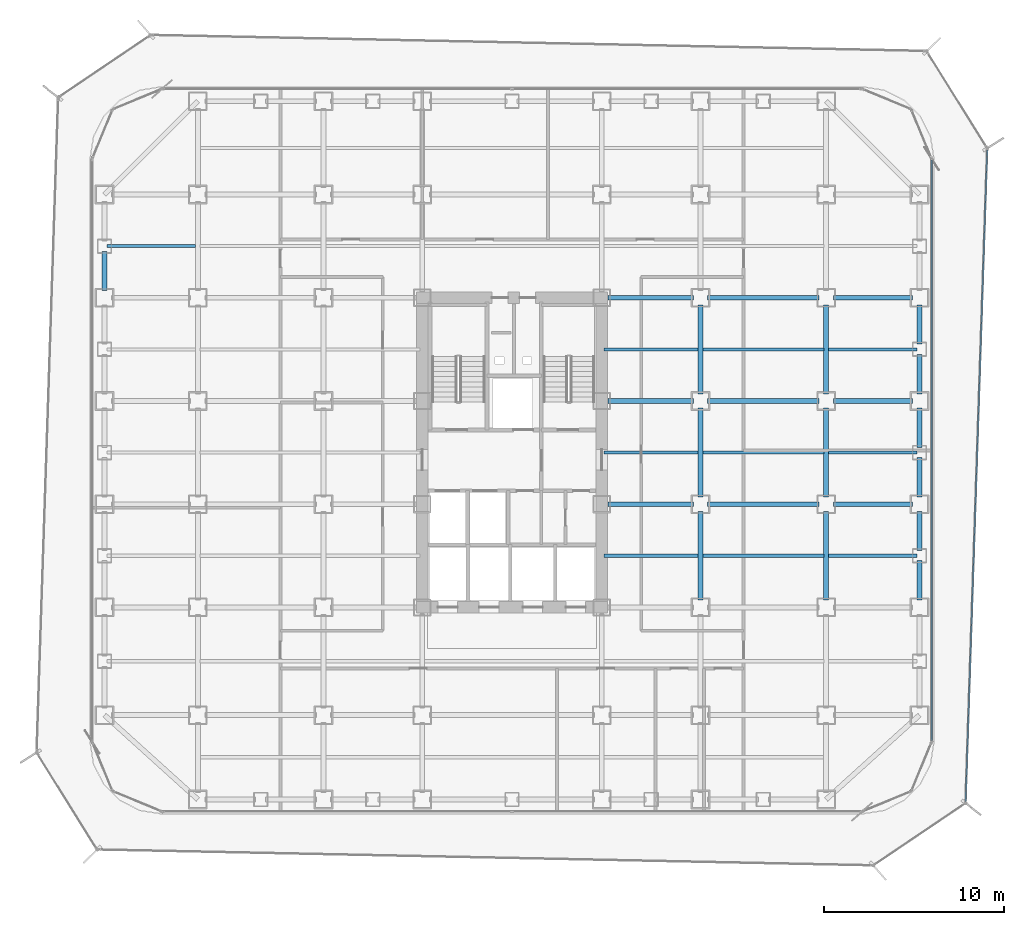
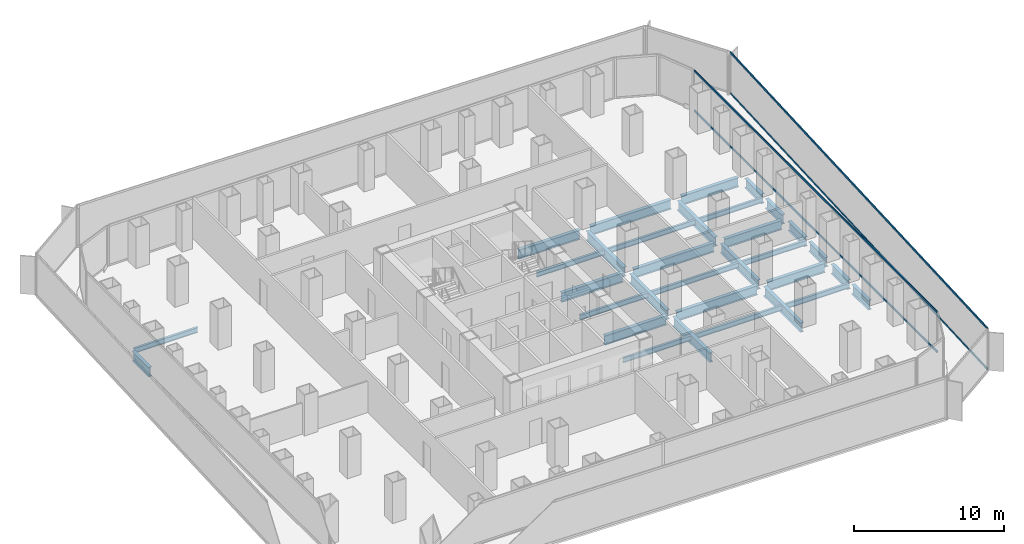
# One storey, part 9 of 21: 32 beams, 4 members, 2 elements without a shape of their own.
"""IFC4 building model written with IfcOpenShell, lengths in metres."""

from ifc_helpers import new_model, si_unit, direction, frame, origin, origin_2d, place, context, subcontext, project, spatial, hollow_rectangle, i_section, extrude, source, transform, mapped, material, layer, layer_set, material_profile, profile_set, type_object, element, aggregate, save


model = new_model("IFC4")

# Units and contexts
model_context = context("Model", 3, precision=1e-05, world=origin(), true_north=direction((0.0, 1.0)))
body_context = subcontext(model_context, "Body", "Model", "MODEL_VIEW")
ifc_project = project(units=[si_unit("LENGTHUNIT", "METRE"), si_unit("AREAUNIT", "SQUARE_METRE"), si_unit("VOLUMEUNIT", "CUBIC_METRE"), si_unit("PLANEANGLEUNIT", "RADIAN"), si_unit("MASSUNIT", "GRAM", prefix="KILO")], contexts=[model_context])

# Site, building, storey
site_placement = place(None, origin())
site = spatial("IfcSite", under=ifc_project, at=site_placement, CompositionType="ELEMENT")
building_placement = place(site_placement, origin())
building = spatial("IfcBuilding", under=site, at=building_placement, Name="Kolveth Station Tower", CompositionType="ELEMENT")
storey_placement = place(building_placement, frame((0.0, 0.0, 47.699951171875)))
storey = spatial("IfcBuildingStorey", under=building, at=storey_placement, Name="L12", CompositionType="ELEMENT", Elevation=47.699951171875)

# Beams
ifc_material_1 = material(Name="Steel S355", Category="steel")
ifc_material_profile_1 = material_profile(ifc_material_1, i_section(OverallWidth=0.26904296875, OverallDepth=0.77490234375, WebThickness=0.01708984375, FlangeThickness=0.0283203125, at=origin_2d()), Name="W760x220")
ifc_profile_set_1 = profile_set([ifc_material_profile_1], Name="Steel S355")
beam_type_1 = type_object("IfcBeamType", Name="Beam_SP1", PredefinedType="SPANDREL", material=ifc_profile_set_1)
shared_shape_1 = source(origin(), body_context, "Body", "SweptSolid", [
    extrude(i_section(OverallWidth=0.26904296875, OverallDepth=0.77490234375, WebThickness=0.01708984375, FlangeThickness=0.0283203125, at=origin_2d()), origin(), (0.0, 0.0, 1.0), 2.2001953125),
])
for number, where, z_axis, x_axis, name in (
    (1, (46.199951171875, 11.89990234375, -0.66748046875), (0.0, 1.0, 0.0), (-1.0, 0.0, 0.0), "L12 Perimeter Spandrel BM-L12-PE-3"),
    (2, (46.199951171875, 20.39990234375, -0.66748046875), (0.0, 1.0, 0.0), (-1.0, 0.0, 0.0), "L12 Perimeter Spandrel BM-L12-PE-6"),
    (3, (46.199951171875, 23.39990234375, -0.66748046875), (0.0, 1.0, 0.0), (-1.0, 0.0, 0.0), "L12 Perimeter Spandrel BM-L12-PE-7"),
):
    element("IfcBeam", number, at=place(storey_placement, frame(where, z_axis=z_axis, x_axis=x_axis)), inside=storey, type_object=beam_type_1, Name=name, PredefinedType="SPANDREL", context=body_context, shape_type="MappedRepresentation", body=[
        mapped(shared_shape_1, transform((0.0, 0.0, 0.0), x_axis=(1.0, 0.0, 0.0), y_axis=(0.0, 1.0, 0.0), z_axis=(0.0, 0.0, 1.0), scale=1.0)),
    ])
shared_shape_2 = source(origin(), body_context, "Body", "SweptSolid", [
    extrude(i_section(OverallWidth=0.26904296875, OverallDepth=0.77490234375, WebThickness=0.01708984375, FlangeThickness=0.0283203125, at=origin_2d()), origin(), (0.0, 0.0, 1.0), 2.190185546875),
])
for number, where, z_axis, x_axis, name in (
    (4, (0.800048828125, 29.14990234375, -0.66748046875), (0.0, 1.0, 0.0), (-1.0, 0.0, 0.0), "L12 Perimeter Spandrel BM-L12-PW-9"),
    (5, (46.199951171875, 14.659912109375, -0.66748046875), (0.0, 1.0, 0.0), (-1.0, 0.0, 0.0), "L12 Perimeter Spandrel BM-L12-PE-4"),
    (6, (46.199951171875, 17.64990234375, -0.66748046875), (0.0, 1.0, 0.0), (-1.0, 0.0, 0.0), "L12 Perimeter Spandrel BM-L12-PE-5"),
    (7, (46.199951171875, 26.159912109375, -0.66748046875), (0.0, 1.0, 0.0), (-1.0, 0.0, 0.0), "L12 Perimeter Spandrel BM-L12-PE-8"),
):
    element("IfcBeam", number, at=place(storey_placement, frame(where, z_axis=z_axis, x_axis=x_axis)), inside=storey, type_object=beam_type_1, Name=name, PredefinedType="SPANDREL", context=body_context, shape_type="MappedRepresentation", body=[
        mapped(shared_shape_2, transform((0.0, 0.0, 0.0), x_axis=(1.0, 0.0, 0.0), y_axis=(0.0, 1.0, 0.0), z_axis=(0.0, 0.0, 1.0), scale=1.0)),
    ])
ifc_material_profile_2 = material_profile(ifc_material_1, i_section(OverallWidth=0.26708984375, OverallDepth=0.76611328125, WebThickness=0.014892578125, FlangeThickness=0.023681640625, at=origin_2d()), Name="W760x185")
ifc_profile_set_2 = profile_set([ifc_material_profile_2], Name="Steel S355")
beam_type_2 = type_object("IfcBeamType", Name="Beam_B3", PredefinedType="BEAM", material=ifc_profile_set_2)
shared_shape_3 = source(origin(), body_context, "Body", "SweptSolid", [
    extrude(i_section(OverallWidth=0.26708984375, OverallDepth=0.76611328125, WebThickness=0.014892578125, FlangeThickness=0.023681640625, at=origin_2d()), origin(), (0.0, 0.0, 1.0), 4.400146484375),
])
for number, where, z_axis, x_axis, name in (
    (8, (41.39990234375, 17.25, -0.662841796875), (1.0, 0.0, 0.0), (0.0, 1.0, 0.0), "L12 Primary Girder BM-L12-GY172-7"),
    (9, (41.39990234375, 23.0, -0.662841796875), (1.0, 0.0, 0.0), (0.0, 1.0, 0.0), "L12 Primary Girder BM-L12-GY230-7"),
    (10, (41.39990234375, 28.75, -0.662841796875), (1.0, 0.0, 0.0), (0.0, 1.0, 0.0), "L12 Primary Girder BM-L12-GY287-7"),
):
    element("IfcBeam", number, at=place(storey_placement, frame(where, z_axis=z_axis, x_axis=x_axis)), inside=storey, type_object=beam_type_2, Name=name, PredefinedType="BEAM", context=body_context, shape_type="MappedRepresentation", body=[
        mapped(shared_shape_3, transform((0.0, 0.0, 0.0), x_axis=(1.0, 0.0, 0.0), y_axis=(0.0, 1.0, 0.0), z_axis=(0.0, 0.0, 1.0), scale=1.0)),
    ])
shared_shape_4 = source(origin(), body_context, "Body", "SweptSolid", [
    extrude(i_section(OverallWidth=0.26708984375, OverallDepth=0.76611328125, WebThickness=0.014892578125, FlangeThickness=0.023681640625, at=origin_2d()), origin(), (0.0, 0.0, 1.0), 6.2001953125),
])
for number, where, z_axis, x_axis, name in (
    (11, (34.39990234375, 17.25, -0.662841796875), (1.0, 0.0, 0.0), (0.0, 1.0, 0.0), "L12 Primary Girder BM-L12-GY172-6"),
    (12, (34.39990234375, 23.0, -0.662841796875), (1.0, 0.0, 0.0), (0.0, 1.0, 0.0), "L12 Primary Girder BM-L12-GY230-6"),
    (13, (34.39990234375, 28.75, -0.662841796875), (1.0, 0.0, 0.0), (0.0, 1.0, 0.0), "L12 Primary Girder BM-L12-GY287-6"),
):
    element("IfcBeam", number, at=place(storey_placement, frame(where, z_axis=z_axis, x_axis=x_axis)), inside=storey, type_object=beam_type_2, Name=name, PredefinedType="BEAM", context=body_context, shape_type="MappedRepresentation", body=[
        mapped(shared_shape_4, transform((0.0, 0.0, 0.0), x_axis=(1.0, 0.0, 0.0), y_axis=(0.0, 1.0, 0.0), z_axis=(0.0, 0.0, 1.0), scale=1.0)),
    ])
shared_shape_5 = source(origin(), body_context, "Body", "SweptSolid", [
    extrude(i_section(OverallWidth=0.26708984375, OverallDepth=0.76611328125, WebThickness=0.014892578125, FlangeThickness=0.023681640625, at=origin_2d()), origin(), (0.0, 0.0, 1.0), 4.739990234375),
])
for number, where, z_axis, x_axis, name in (
    (14, (28.860107421875, 17.25, -0.662841796875), (1.0, 0.0, 0.0), (0.0, 1.0, 0.0), "L12 Primary Girder BM-L12-GY172-5"),
    (15, (28.860107421875, 23.0, -0.662841796875), (1.0, 0.0, 0.0), (0.0, 1.0, 0.0), "L12 Primary Girder BM-L12-GY230-5"),
    (16, (28.860107421875, 28.75, -0.662841796875), (1.0, 0.0, 0.0), (0.0, 1.0, 0.0), "L12 Primary Girder BM-L12-GY287-5"),
):
    element("IfcBeam", number, at=place(storey_placement, frame(where, z_axis=z_axis, x_axis=x_axis)), inside=storey, type_object=beam_type_2, Name=name, PredefinedType="BEAM", context=body_context, shape_type="MappedRepresentation", body=[
        mapped(shared_shape_5, transform((0.0, 0.0, 0.0), x_axis=(1.0, 0.0, 0.0), y_axis=(0.0, 1.0, 0.0), z_axis=(0.0, 0.0, 1.0), scale=1.0)),
    ])
shared_shape_6 = source(origin(), body_context, "Body", "SweptSolid", [
    extrude(i_section(OverallWidth=0.26708984375, OverallDepth=0.76611328125, WebThickness=0.014892578125, FlangeThickness=0.023681640625, at=origin_2d()), origin(), (0.0, 0.0, 1.0), 4.9501953125),
])
for number, where, z_axis, x_axis, name in (
    (17, (34.0, 11.89990234375, -0.662841796875), (0.0, 1.0, 0.0), (-1.0, 0.0, 0.0), "L12 Primary Girder BM-L12-GX340-3"),
    (18, (34.0, 17.64990234375, -0.662841796875), (0.0, 1.0, 0.0), (-1.0, 0.0, 0.0), "L12 Primary Girder BM-L12-GX340-4"),
    (19, (34.0, 23.39990234375, -0.662841796875), (0.0, 1.0, 0.0), (-1.0, 0.0, 0.0), "L12 Primary Girder BM-L12-GX340-5"),
    (20, (41.0, 11.89990234375, -0.662841796875), (0.0, 1.0, 0.0), (-1.0, 0.0, 0.0), "L12 Primary Girder BM-L12-GX410-3"),
    (21, (41.0, 17.64990234375, -0.662841796875), (0.0, 1.0, 0.0), (-1.0, 0.0, 0.0), "L12 Primary Girder BM-L12-GX410-4"),
    (22, (41.0, 23.39990234375, -0.662841796875), (0.0, 1.0, 0.0), (-1.0, 0.0, 0.0), "L12 Primary Girder BM-L12-GX410-5"),
):
    element("IfcBeam", number, at=place(storey_placement, frame(where, z_axis=z_axis, x_axis=x_axis)), inside=storey, type_object=beam_type_2, Name=name, PredefinedType="BEAM", context=body_context, shape_type="MappedRepresentation", body=[
        mapped(shared_shape_6, transform((0.0, 0.0, 0.0), x_axis=(1.0, 0.0, 0.0), y_axis=(0.0, 1.0, 0.0), z_axis=(0.0, 0.0, 1.0), scale=1.0)),
    ])
ifc_material_profile_3 = material_profile(ifc_material_1, i_section(OverallWidth=0.177978515625, OverallDepth=0.406982421875, WebThickness=0.0078125, FlangeThickness=0.0126953125, at=origin_2d()), Name="W410x60")
ifc_profile_set_3 = profile_set([ifc_material_profile_3], Name="Steel S355")
beam_type_3 = type_object("IfcBeamType", Name="Beam_J1", PredefinedType="JOIST", material=ifc_profile_set_3)
shared_shape_7 = source(origin(), body_context, "Body", "SweptSolid", [
    extrude(i_section(OverallWidth=0.177978515625, OverallDepth=0.406982421875, WebThickness=0.0078125, FlangeThickness=0.0126953125, at=origin_2d()), origin(), (0.0, 0.0, 1.0), 4.935791015625),
])
for number, where, z_axis, x_axis, name in (
    (23, (0.9326171875, 31.625, -0.4833984375), (1.0, 0.0, 0.0), (0.0, 1.0, 0.0), "L12 Secondary Joist JST-L12-1-6"),
    (24, (41.131591796875, 14.375, -0.4833984375), (1.0, 0.0, 0.0), (0.0, 1.0, 0.0), "L12 Secondary Joist JST-L12-7-3"),
    (25, (41.131591796875, 20.125, -0.4833984375), (1.0, 0.0, 0.0), (0.0, 1.0, 0.0), "L12 Secondary Joist JST-L12-7-4"),
    (26, (41.131591796875, 25.875, -0.4833984375), (1.0, 0.0, 0.0), (0.0, 1.0, 0.0), "L12 Secondary Joist JST-L12-7-5"),
):
    element("IfcBeam", number, at=place(storey_placement, frame(where, z_axis=z_axis, x_axis=x_axis)), inside=storey, type_object=beam_type_3, Name=name, PredefinedType="JOIST", context=body_context, shape_type="MappedRepresentation", body=[
        mapped(shared_shape_7, transform((0.0, 0.0, 0.0), x_axis=(1.0, 0.0, 0.0), y_axis=(0.0, 1.0, 0.0), z_axis=(0.0, 0.0, 1.0), scale=1.0)),
    ])
shared_shape_8 = source(origin(), body_context, "Body", "SweptSolid", [
    extrude(i_section(OverallWidth=0.177978515625, OverallDepth=0.406982421875, WebThickness=0.0078125, FlangeThickness=0.0126953125, at=origin_2d()), origin(), (0.0, 0.0, 1.0), 6.73681640625),
])
for number, where, z_axis, x_axis, name in (
    (27, (34.131591796875, 14.375, -0.4833984375), (1.0, 0.0, 0.0), (0.0, 1.0, 0.0), "L12 Secondary Joist JST-L12-6-3"),
    (28, (34.131591796875, 20.125, -0.4833984375), (1.0, 0.0, 0.0), (0.0, 1.0, 0.0), "L12 Secondary Joist JST-L12-6-4"),
    (29, (34.131591796875, 25.875, -0.4833984375), (1.0, 0.0, 0.0), (0.0, 1.0, 0.0), "L12 Secondary Joist JST-L12-6-5"),
):
    element("IfcBeam", number, at=place(storey_placement, frame(where, z_axis=z_axis, x_axis=x_axis)), inside=storey, type_object=beam_type_3, Name=name, PredefinedType="JOIST", context=body_context, shape_type="MappedRepresentation", body=[
        mapped(shared_shape_8, transform((0.0, 0.0, 0.0), x_axis=(1.0, 0.0, 0.0), y_axis=(0.0, 1.0, 0.0), z_axis=(0.0, 0.0, 1.0), scale=1.0)),
    ])
shared_shape_9 = source(origin(), body_context, "Body", "SweptSolid", [
    extrude(i_section(OverallWidth=0.177978515625, OverallDepth=0.406982421875, WebThickness=0.0078125, FlangeThickness=0.0126953125, at=origin_2d()), origin(), (0.0, 0.0, 1.0), 5.23681640625),
])
for number, where, z_axis, x_axis, name in (
    (30, (28.631591796875, 14.375, -0.4833984375), (1.0, 0.0, 0.0), (0.0, 1.0, 0.0), "L12 Secondary Joist JST-L12-5-3"),
    (31, (28.631591796875, 20.125, -0.4833984375), (1.0, 0.0, 0.0), (0.0, 1.0, 0.0), "L12 Secondary Joist JST-L12-5-4"),
    (32, (28.631591796875, 25.875, -0.4833984375), (1.0, 0.0, 0.0), (0.0, 1.0, 0.0), "L12 Secondary Joist JST-L12-5-5"),
):
    element("IfcBeam", number, at=place(storey_placement, frame(where, z_axis=z_axis, x_axis=x_axis)), inside=storey, type_object=beam_type_3, Name=name, PredefinedType="JOIST", context=body_context, shape_type="MappedRepresentation", body=[
        mapped(shared_shape_9, transform((0.0, 0.0, 0.0), x_axis=(1.0, 0.0, 0.0), y_axis=(0.0, 1.0, 0.0), z_axis=(0.0, 0.0, 1.0), scale=1.0)),
    ])

# Curtain wall, members
ifc_material_2 = material(Name="Aluminium 6063-T6 and low-E dark glass", Category="aluminium")
ifc_layer_1 = layer(ifc_material_2, 0.179931640625)
ifc_layer_set_1 = layer_set([ifc_layer_1], Name="Aluminium 6063-T6 and low-E dark glass")
curtain_wall_type_1 = type_object("IfcCurtainWallType", Name="CurtainWall_CW-Z1", PredefinedType="NOTDEFINED", material=ifc_layer_set_1)
curtain_wall_1_placement = place(storey_placement, origin())
curtain_wall_1 = element("IfcCurtainWall", 33, at=curtain_wall_1_placement, inside=storey, type_object=curtain_wall_type_1, Name="L12 Inner Thermal Curtain Wall 3", PredefinedType="NOTDEFINED")
ifc_material_3 = material(Name="Black anodized aluminium 6063-T6", Category="aluminium")
ifc_material_profile_4 = material_profile(ifc_material_3, hollow_rectangle(XDim=0.074951171875, YDim=0.159912109375, WallThickness=0.0048828125, at=origin_2d()), Name="ALU-75x160x5")
ifc_profile_set_4 = profile_set([ifc_material_profile_4], Name="Black anodized aluminium 6063-T6")
member_type_1 = type_object("IfcMemberType", Name="Transom_TR1", PredefinedType="USERDEFINED", material=ifc_profile_set_4)
shared_shape_10 = source(origin(), body_context, "Body", "SweptSolid", [
    extrude(hollow_rectangle(XDim=0.074951171875, YDim=0.159912109375, WallThickness=0.0048828125, at=origin_2d()), origin(), (0.0, 0.0, 1.0), 32.35009765625),
])
member_1_placement = place(storey_placement, frame((46.8798828125, 4.074951171875, 0.03759765625), z_axis=(0.0, 1.0, 0.0), x_axis=(-1.0, 0.0, 0.0)))
member_1 = element("IfcMember", 34, at=member_1_placement, type_object=member_type_1, Name="CW-Z1 transom 1.1", ObjectType="TRANSOM", PredefinedType="USERDEFINED", context=body_context, shape_type="MappedRepresentation", body=[
    mapped(shared_shape_10, transform((0.0, 0.0, 0.0), x_axis=(1.0, 0.0, 0.0), y_axis=(0.0, 1.0, 0.0), z_axis=(0.0, 0.0, 1.0), scale=1.0)),
])
member_2_placement = place(storey_placement, frame((46.8798828125, 4.074951171875, 3.282470703125), z_axis=(0.0, 1.0, 0.0), x_axis=(-1.0, 0.0, 0.0)))
member_2 = element("IfcMember", 35, at=member_2_placement, type_object=member_type_1, Name="CW-Z1 transom 1.2", ObjectType="TRANSOM", PredefinedType="USERDEFINED", context=body_context, shape_type="MappedRepresentation", body=[
    mapped(shared_shape_10, transform((0.0, 0.0, 0.0), x_axis=(1.0, 0.0, 0.0), y_axis=(0.0, 1.0, 0.0), z_axis=(0.0, 0.0, 1.0), scale=1.0)),
])
aggregate(curtain_wall_1, [member_1, member_2])

ifc_material_4 = material(Name="Black anodized aluminium 6063-T6 and dark solar glass", Category="aluminium")
ifc_layer_2 = layer(ifc_material_4, 0.159912109375)
ifc_layer_set_2 = layer_set([ifc_layer_2], Name="Black anodized aluminium 6063-T6 and dark solar glass")
curtain_wall_type_2 = type_object("IfcCurtainWallType", Name="OUTER SKIN CW-OS", PredefinedType="NOTDEFINED", material=ifc_layer_set_2)
curtain_wall_2_placement = place(storey_placement, origin())
curtain_wall_2 = element("IfcCurtainWall", 36, at=curtain_wall_2_placement, inside=storey, type_object=curtain_wall_type_2, Name="L12 Outer Ventilated Skin Curtain Wall 2", PredefinedType="NOTDEFINED")
ifc_material_profile_5 = material_profile(ifc_material_3, hollow_rectangle(XDim=0.080078125, YDim=0.14990234375, WallThickness=0.0048828125, at=origin_2d()), Name="ALU-80x150x5")
ifc_profile_set_5 = profile_set([ifc_material_profile_5], Name="Black anodized aluminium 6063-T6")
member_type_2 = type_object("IfcMemberType", Name="Transom_TR-OS", PredefinedType="USERDEFINED", material=ifc_profile_set_5)
shared_shape_11 = source(origin(), body_context, "Body", "SweptSolid", [
    extrude(hollow_rectangle(XDim=0.080078125, YDim=0.14990234375, WallThickness=0.0048828125, at=origin_2d()), origin(), (0.0, 0.0, 1.0), 36.325439453125),
])
member_3_placement = place(storey_placement, frame((48.7724609375, 0.687744140625, 0.0400390625), z_axis=(0.033087019749, 0.99945247467, 0.0), x_axis=(-0.99945247467, 0.033087019749, 0.0)))
member_3 = element("IfcMember", 37, at=member_3_placement, type_object=member_type_2, Name="CW-OS transom 1.1", ObjectType="TRANSOM", PredefinedType="USERDEFINED", context=body_context, shape_type="MappedRepresentation", body=[
    mapped(shared_shape_11, transform((0.0, 0.0, 0.0), x_axis=(1.0, 0.0, 0.0), y_axis=(0.0, 1.0, 0.0), z_axis=(0.0, 0.0, 1.0), scale=1.0)),
])
member_4_placement = place(storey_placement, frame((48.7724609375, 0.687744140625, 3.35009765625), z_axis=(0.033087019749, 0.99945247467, 0.0), x_axis=(-0.99945247467, 0.033087019749, 0.0)))
member_4 = element("IfcMember", 38, at=member_4_placement, type_object=member_type_2, Name="CW-OS transom 1.2", ObjectType="TRANSOM", PredefinedType="USERDEFINED", context=body_context, shape_type="MappedRepresentation", body=[
    mapped(shared_shape_11, transform((0.0, 0.0, 0.0), x_axis=(1.0, 0.0, 0.0), y_axis=(0.0, 1.0, 0.0), z_axis=(0.0, 0.0, 1.0), scale=1.0)),
])
aggregate(curtain_wall_2, [member_3, member_4])

save(model, "model.ifc")
